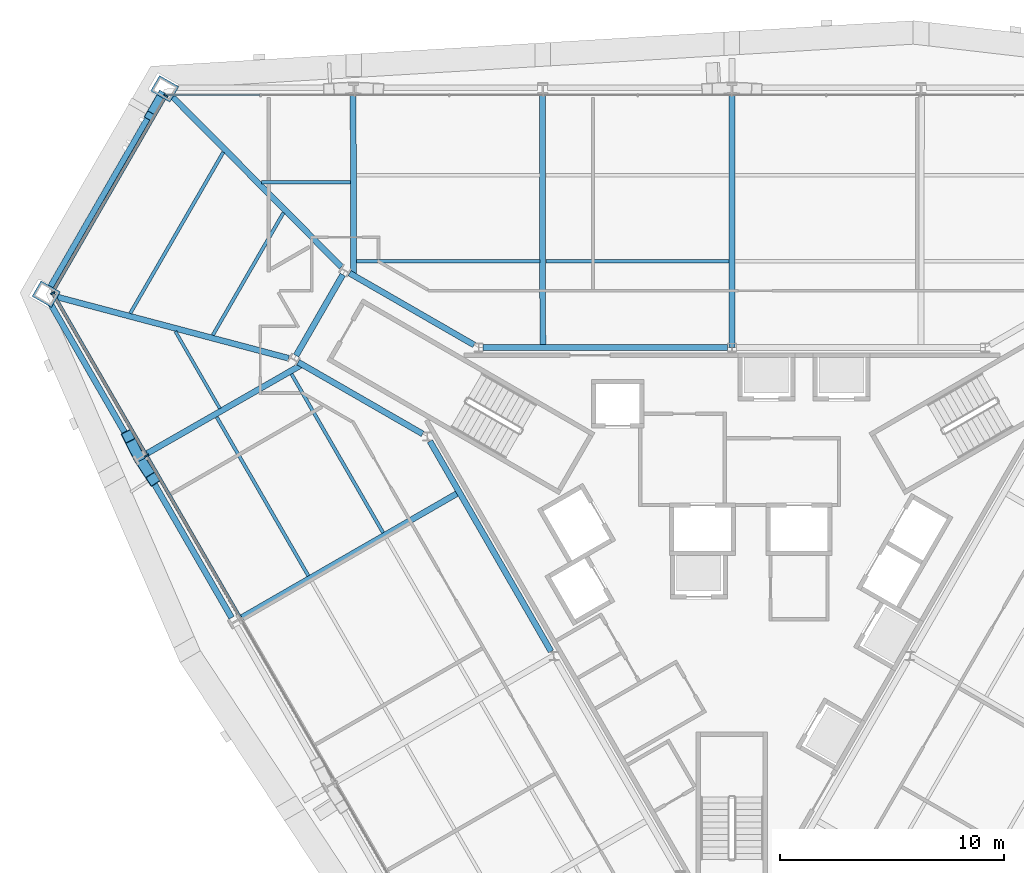
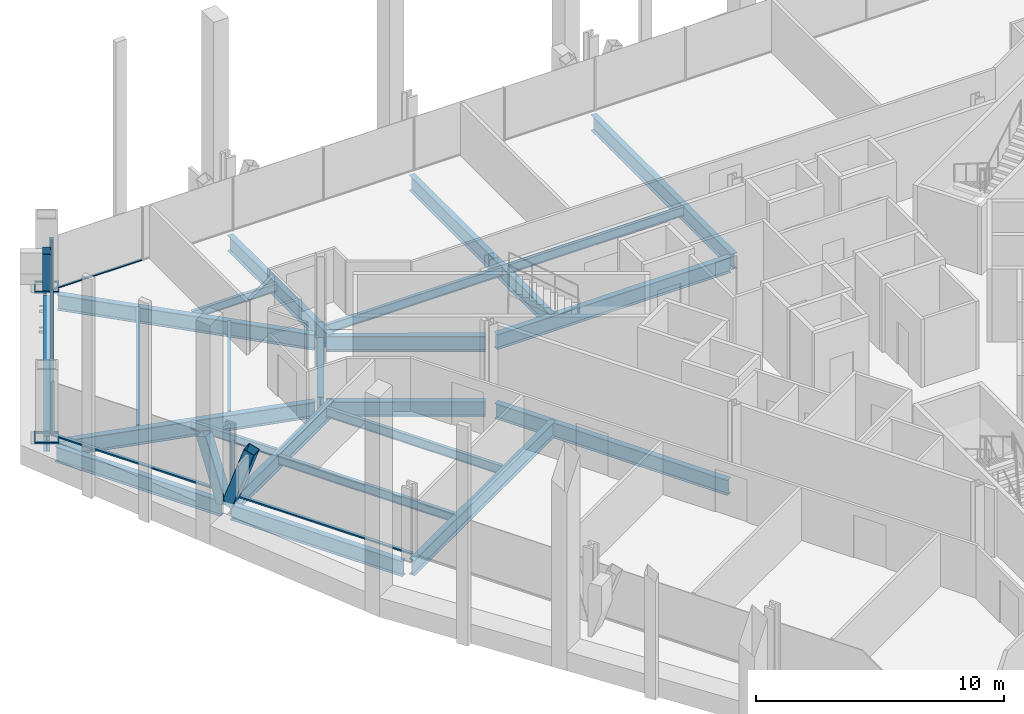
# One storey, part 5 of 16: 23 beams, 12 members, 3 elements without a shape of their own.
"""IFC4 building model written with IfcOpenShell, lengths in metres."""

from ifc_helpers import new_model, si_unit, direction, frame, origin, origin_2d, place, context, subcontext, project, spatial, rectangle, hollow_rectangle, i_section, extrude, material, material_profile, profile_set, type_object, element, aggregate, save


model = new_model("IFC4")

# Units and contexts
model_context = context("Model", 3, precision=1e-05, world=origin(), true_north=direction((0.0, 1.0)))
body_context = subcontext(model_context, "Body", "Model", "MODEL_VIEW")
ifc_project = project(units=[si_unit("LENGTHUNIT", "METRE"), si_unit("AREAUNIT", "SQUARE_METRE"), si_unit("VOLUMEUNIT", "CUBIC_METRE"), si_unit("PLANEANGLEUNIT", "RADIAN"), si_unit("MASSUNIT", "GRAM", prefix="KILO")], contexts=[model_context])

# Site, building, storey
site_placement = place(None, origin())
site = spatial("IfcSite", under=ifc_project, at=site_placement, CompositionType="ELEMENT")
building_placement = place(site_placement, origin())
building = spatial("IfcBuilding", under=site, at=building_placement, Name="Verrane Prism Tower", CompositionType="ELEMENT")
storey_placement = place(building_placement, frame((0.0, 0.0, 36.800048828125)))
storey = spatial("IfcBuildingStorey", under=building, at=storey_placement, Name="L06", CompositionType="ELEMENT", Elevation=36.800048828125)

# Member
ifc_material_1 = material(Name="Steel A500 Grade C", Category="steel")
ifc_material_profile_1 = material_profile(ifc_material_1, hollow_rectangle(XDim=0.355712890625, YDim=0.355712890625, WallThickness=0.0126953125, InnerFilletRadius=0.00634765625, OuterFilletRadius=0.01904296875, at=origin_2d()), Name="HSS14x14x1/2")
ifc_profile_set_1 = profile_set([ifc_material_profile_1], Name="Steel A500 Grade C")
member_type_1 = type_object("IfcMemberType", Name="Chamfer brace HSS14x14x1/2", PredefinedType="BRACE", material=ifc_profile_set_1)
member_1_placement = place(storey_placement, frame((-25.530029296875, 20.492919921875, 0.217041015625), z_axis=(-0.193868803172, -0.335749946471, 0.921784606403), x_axis=(0.865999177177, -0.500045423065, 0.0)))
element("IfcMember", 1, at=member_1_placement, inside=storey, type_object=member_type_1, Name="Chamfer brace NW0 L06", PredefinedType="BRACE", context=body_context, shape_type="SweptSolid", body=[
    extrude(hollow_rectangle(XDim=0.355712890625, YDim=0.355712890625, WallThickness=0.0126953125, InnerFilletRadius=0.00634765625, OuterFilletRadius=0.01904296875, at=origin_2d()), origin(), (0.0, 0.0, 1.0), 2.756591796875),
])

# Beams
ifc_material_2 = material(Name="Steel A992", Category="steel")
ifc_material_profile_2 = material_profile(ifc_material_2, i_section(OverallWidth=0.2666015625, OverallDepth=0.76708984375, WebThickness=0.014892578125, FlangeThickness=0.023681640625, FilletRadius=0.0166015625, at=origin_2d()), Name="W30x124")
ifc_profile_set_2 = profile_set([ifc_material_profile_2], Name="Steel A992")
beam_type_1 = type_object("IfcBeamType", Name="Chamfer spandrel beam W30x124", PredefinedType="SPANDREL", material=ifc_profile_set_2)
beam_1_placement = place(storey_placement, frame((-25.544921875, 20.466796875, -0.54345703125), z_axis=(-0.500011342071, -0.866018855338, 0.0), x_axis=(0.866018855338, -0.500011342071, 0.0)))
element("IfcBeam", 2, at=beam_1_placement, inside=storey, type_object=beam_type_1, Name="Chamfer spandrel beam L06", PredefinedType="SPANDREL", context=body_context, shape_type="SweptSolid", body=[
    extrude(i_section(OverallWidth=0.2666015625, OverallDepth=0.76708984375, WebThickness=0.014892578125, FlangeThickness=0.023681640625, FilletRadius=0.0166015625, at=origin_2d()), origin(), (0.0, 0.0, 1.0), 9.900146484375),
])
ifc_material_3 = material(Name="Steel A992", Category="steel")
ifc_material_profile_3 = material_profile(ifc_material_3, i_section(OverallWidth=0.2666015625, OverallDepth=0.7568359375, WebThickness=0.013916015625, FlangeThickness=0.019287109375, FilletRadius=0.0166015625, at=origin_2d()), Name="W30x108")
ifc_profile_set_3 = profile_set([ifc_material_profile_3], Name="Steel A992")
beam_type_2 = type_object("IfcBeamType", Name="Core ring girder W30x108", PredefinedType="BEAM", material=ifc_profile_set_3)
beam_2_placement = place(storey_placement, frame((-0.203125, 9.199951171875, -0.628662109375), z_axis=(-1.0, 0.0, 0.0), x_axis=(0.0, -1.0, 0.0)))
element("IfcBeam", 3, at=beam_2_placement, inside=storey, type_object=beam_type_2, Name="Core ring girder L06", PredefinedType="BEAM", context=body_context, shape_type="SweptSolid", body=[
    extrude(i_section(OverallWidth=0.2666015625, OverallDepth=0.7568359375, WebThickness=0.013916015625, FlangeThickness=0.019287109375, FilletRadius=0.0166015625, at=origin_2d()), origin(), (0.0, 0.0, 1.0), 10.923583984375),
])
beam_3_placement = place(storey_placement, frame((-11.533203125, 9.317138671875, -0.628662109375), z_axis=(-0.866447229751, 0.499268663203, 0.0), x_axis=(-0.499268663203, -0.866447229751, 0.0)))
element("IfcBeam", 4, at=beam_3_placement, inside=storey, type_object=beam_type_2, Name="Core ring girder L06", PredefinedType="BEAM", context=body_context, shape_type="SweptSolid", body=[
    extrude(i_section(OverallWidth=0.2666015625, OverallDepth=0.7568359375, WebThickness=0.013916015625, FlangeThickness=0.019287109375, FilletRadius=0.0166015625, at=origin_2d()), origin(), (0.0, 0.0, 1.0), 6.428466796875),
])
beam_4_placement = place(storey_placement, frame((-17.40478515625, 12.45849609375, -0.628662109375), z_axis=(-0.500349643494, -0.865823442888, 0.0), x_axis=(0.865823442888, -0.500349643494, 0.0)))
element("IfcBeam", 5, at=beam_4_placement, inside=storey, type_object=beam_type_2, Name="Core ring girder L06", PredefinedType="BEAM", context=body_context, shape_type="SweptSolid", body=[
    extrude(i_section(OverallWidth=0.2666015625, OverallDepth=0.7568359375, WebThickness=0.013916015625, FlangeThickness=0.019287109375, FilletRadius=0.0166015625, at=origin_2d()), origin(), (0.0, 0.0, 1.0), 4.177734375),
])
beam_5_placement = place(storey_placement, frame((-19.403076171875, 8.54638671875, -0.628662109375), z_axis=(0.86646365882, -0.499240150574, 0.0), x_axis=(0.499240150574, 0.86646365882, 0.0)))
element("IfcBeam", 6, at=beam_5_placement, inside=storey, type_object=beam_type_2, Name="Core ring girder L06", PredefinedType="BEAM", context=body_context, shape_type="SweptSolid", body=[
    extrude(i_section(OverallWidth=0.2666015625, OverallDepth=0.7568359375, WebThickness=0.013916015625, FlangeThickness=0.019287109375, FilletRadius=0.0166015625, at=origin_2d()), origin(), (0.0, 0.0, 1.0), 6.42822265625),
])
beam_6_placement = place(storey_placement, frame((-13.510009765625, 5.01171875, -0.628662109375), z_axis=(0.499371892062, -0.866387738498, 0.0), x_axis=(0.866387738498, 0.499371892062, 0.0)))
element("IfcBeam", 7, at=beam_6_placement, inside=storey, type_object=beam_type_2, Name="Core ring girder L06", PredefinedType="BEAM", context=body_context, shape_type="SweptSolid", body=[
    extrude(i_section(OverallWidth=0.2666015625, OverallDepth=0.7568359375, WebThickness=0.013916015625, FlangeThickness=0.019287109375, FilletRadius=0.0166015625, at=origin_2d()), origin(), (0.0, 0.0, 1.0), 10.853515625),
])
ifc_material_4 = material(Name="Steel A992", Category="steel")
ifc_material_profile_4 = material_profile(ifc_material_4, i_section(OverallWidth=0.2666015625, OverallDepth=0.76708984375, WebThickness=0.014892578125, FlangeThickness=0.023681640625, FilletRadius=0.0166015625, at=origin_2d()), Name="W30x124")
ifc_profile_set_4 = profile_set([ifc_material_profile_4], Name="Steel A992")
beam_type_3 = type_object("IfcBeamType", Name="Corner girder W30x124", PredefinedType="BEAM", material=ifc_profile_set_4)
beam_7_placement = place(storey_placement, frame((-25.04150390625, 20.43896484375, -0.603515625), z_axis=(0.704479617192, -0.709724220356, 0.0), x_axis=(0.709724220356, 0.704479617192, 0.0)))
element("IfcBeam", 8, at=beam_7_placement, inside=storey, type_object=beam_type_3, Name="Corner girder L06", PredefinedType="BEAM", context=body_context, shape_type="SweptSolid", body=[
    extrude(i_section(OverallWidth=0.2666015625, OverallDepth=0.76708984375, WebThickness=0.014892578125, FlangeThickness=0.023681640625, FilletRadius=0.0166015625, at=origin_2d()), origin(), (0.0, 0.0, 1.0), 10.753173828125),
])
beam_8_placement = place(storey_placement, frame((-30.21923828125, 11.470703125, -0.603515625), z_axis=(0.966710515477, -0.255872584047, 0.0), x_axis=(0.255872584047, 0.966710515477, 0.0)))
element("IfcBeam", 9, at=beam_8_placement, inside=storey, type_object=beam_type_3, Name="Corner girder L06", PredefinedType="BEAM", context=body_context, shape_type="SweptSolid", body=[
    extrude(i_section(OverallWidth=0.2666015625, OverallDepth=0.76708984375, WebThickness=0.014892578125, FlangeThickness=0.023681640625, FilletRadius=0.0166015625, at=origin_2d()), origin(), (0.0, 0.0, 1.0), 10.74951171875),
])

# Members
ifc_material_5 = material(Name="Steel A1085 Grade A", Category="steel")
ifc_material_profile_5 = material_profile(ifc_material_5, hollow_rectangle(XDim=0.508056640625, YDim=0.508056640625, WallThickness=0.025390625, InnerFilletRadius=0.0126953125, OuterFilletRadius=0.0380859375, at=origin_2d()), Name="HSS20x20x1")
ifc_profile_set_5 = profile_set([ifc_material_profile_5], Name="Steel A1085 Grade A")
member_type_2 = type_object("IfcMemberType", Name="Facade brace HSS20x20x1", PredefinedType="BRACE", material=ifc_profile_set_5)
member_2_placement = place(storey_placement, frame((-26.56201171875, 4.362060546875, -0.19775390625), z_axis=(-0.141798489589, 0.278666899243, 0.94986206768), x_axis=(-0.891251410074, -0.45350956334, 0.0)))
element("IfcMember", 10, at=member_2_placement, inside=storey, type_object=member_type_2, Name="Facade brace SW0 L06", PredefinedType="BRACE", context=body_context, shape_type="SweptSolid", body=[
    extrude(hollow_rectangle(XDim=0.508056640625, YDim=0.508056640625, WallThickness=0.025390625, InnerFilletRadius=0.0126953125, OuterFilletRadius=0.0380859375, at=origin_2d()), origin(), (0.0, 0.0, 1.0), 3.119873046875),
])
member_3_placement = place(storey_placement, frame((-26.447509765625, 4.163818359375, -0.19775390625), z_axis=(0.175899143488, -0.272382590381, 0.945974215176), x_axis=(0.840059916394, 0.542493628412, 0.0)))
element("IfcMember", 11, at=member_3_placement, inside=storey, type_object=member_type_2, Name="Facade brace SW1 L06", PredefinedType="BRACE", context=body_context, shape_type="SweptSolid", body=[
    extrude(hollow_rectangle(XDim=0.508056640625, YDim=0.508056640625, WallThickness=0.025390625, InnerFilletRadius=0.0126953125, OuterFilletRadius=0.0380859375, at=origin_2d()), origin(), (0.0, 0.0, 1.0), 3.132568359375),
])

# Beams
ifc_material_6 = material(Name="Steel A992", Category="steel")
ifc_material_profile_6 = material_profile(ifc_material_6, i_section(OverallWidth=0.140380859375, OverallDepth=0.40380859375, WebThickness=0.007080078125, FlangeThickness=0.01123046875, FilletRadius=0.01025390625, at=origin_2d()), Name="W16x31")
ifc_profile_set_6 = profile_set([ifc_material_profile_6], Name="Steel A992")
beam_type_4 = type_object("IfcBeamType", Name="Floor beam W16x31", PredefinedType="BEAM", material=ifc_profile_set_6)
beam_9_placement = place(storey_placement, frame((-21.03759765625, 16.594970703125, -0.362060546875), z_axis=(1.0, 0.0, 0.0), x_axis=(0.0, 1.0, 0.0)))
element("IfcBeam", 12, at=beam_9_placement, inside=storey, type_object=beam_type_4, Name="Floor beam L06", PredefinedType="BEAM", context=body_context, shape_type="SweptSolid", body=[
    extrude(i_section(OverallWidth=0.140380859375, OverallDepth=0.40380859375, WebThickness=0.007080078125, FlangeThickness=0.01123046875, FilletRadius=0.01025390625, at=origin_2d()), origin(), (0.0, 0.0, 1.0), 3.984130859375),
])
beam_10_placement = place(storey_placement, frame((-22.90185546875, 6.470703125, -0.362060546875), z_axis=(-0.500005166599, 0.866022420826, 0.0), x_axis=(-0.866022420826, -0.500005166599, 0.0)))
element("IfcBeam", 13, at=beam_10_placement, inside=storey, type_object=beam_type_4, Name="Floor beam L06", PredefinedType="BEAM", context=body_context, shape_type="SweptSolid", body=[
    extrude(i_section(OverallWidth=0.140380859375, OverallDepth=0.40380859375, WebThickness=0.007080078125, FlangeThickness=0.01123046875, FilletRadius=0.01025390625, at=origin_2d()), origin(), (0.0, 0.0, 1.0), 3.98681640625),
])
ifc_material_7 = material(Name="Steel A992", Category="steel")
ifc_material_profile_7 = material_profile(ifc_material_7, i_section(OverallWidth=0.15234375, OverallDepth=0.449462890625, WebThickness=0.007568359375, FlangeThickness=0.0107421875, FilletRadius=0.01025390625, at=origin_2d()), Name="W18x35")
ifc_profile_set_7 = profile_set([ifc_material_profile_7], Name="Steel A992")
beam_type_5 = type_object("IfcBeamType", Name="Floor beam W18x35", PredefinedType="BEAM", material=ifc_profile_set_7)
beam_11_placement = place(storey_placement, frame((-8.326416015625, 13.056640625, -0.384765625), z_axis=(1.0, 0.0, 0.0), x_axis=(0.0, 1.0, 0.0)))
element("IfcBeam", 14, at=beam_11_placement, inside=storey, type_object=beam_type_5, Name="Floor beam L06", PredefinedType="BEAM", context=body_context, shape_type="SweptSolid", body=[
    extrude(i_section(OverallWidth=0.15234375, OverallDepth=0.449462890625, WebThickness=0.007568359375, FlangeThickness=0.0107421875, FilletRadius=0.01025390625, at=origin_2d()), origin(), (0.0, 0.0, 1.0), 8.19287109375),
])
for number, where, z_axis, x_axis, name in (
    (15, (-16.78662109375, 13.056640625, -0.384765625), (1.0, 0.0, 0.0), (0.0, 1.0, 0.0), "Floor beam L06"),
    (16, (-15.60009765625, 0.91552734375, -0.384765625), (-0.49998813555, 0.86603225362, 0.0), (-0.86603225362, -0.49998813555, 0.0), "Floor beam L06"),
):
    element("IfcBeam", number, at=place(storey_placement, frame(where, z_axis=z_axis, x_axis=x_axis)), inside=storey, type_object=beam_type_5, Name=name, PredefinedType="BEAM", context=body_context, shape_type="SweptSolid", body=[
        extrude(i_section(OverallWidth=0.15234375, OverallDepth=0.449462890625, WebThickness=0.007568359375, FlangeThickness=0.0107421875, FilletRadius=0.01025390625, at=origin_2d()), origin(), (0.0, 0.0, 1.0), 8.193115234375),
    ])
beam_12_placement = place(storey_placement, frame((-18.943359375, -1.014404296875, -0.384765625), z_axis=(-0.500013012896, 0.866017890655, 0.0), x_axis=(-0.866017890655, -0.500013012896, 0.0)))
element("IfcBeam", 17, at=beam_12_placement, inside=storey, type_object=beam_type_5, Name="Floor beam L06", PredefinedType="BEAM", context=body_context, shape_type="SweptSolid", body=[
    extrude(i_section(OverallWidth=0.15234375, OverallDepth=0.449462890625, WebThickness=0.007568359375, FlangeThickness=0.0107421875, FilletRadius=0.01025390625, at=origin_2d()), origin(), (0.0, 0.0, 1.0), 8.194580078125),
])
beam_13_placement = place(storey_placement, frame((-23.219482421875, 9.756103515625, -0.384765625), z_axis=(0.499989926711, 0.866031219522, 0.0), x_axis=(-0.866031219522, 0.499989926711, 0.0)))
element("IfcBeam", 18, at=beam_13_placement, inside=storey, type_object=beam_type_5, Name="Floor beam L06", PredefinedType="BEAM", context=body_context, shape_type="SweptSolid", body=[
    extrude(i_section(OverallWidth=0.15234375, OverallDepth=0.449462890625, WebThickness=0.007568359375, FlangeThickness=0.0107421875, FilletRadius=0.01025390625, at=origin_2d()), origin(), (0.0, 0.0, 1.0), 6.321044921875),
])
beam_14_placement = place(storey_placement, frame((-26.910400390625, 10.73291015625, -0.384765625), z_axis=(0.500000939553, 0.866024861332, 0.0), x_axis=(-0.866024861332, 0.500000939553, 0.0)))
element("IfcBeam", 19, at=beam_14_placement, inside=storey, type_object=beam_type_5, Name="Floor beam L06", PredefinedType="BEAM", context=body_context, shape_type="SweptSolid", body=[
    extrude(i_section(OverallWidth=0.15234375, OverallDepth=0.449462890625, WebThickness=0.007568359375, FlangeThickness=0.0107421875, FilletRadius=0.01025390625, at=origin_2d()), origin(), (0.0, 0.0, 1.0), 8.322265625),
])

# Members
ifc_material_8 = material(Name="Steel A572 Grade 50", Category="steel")
ifc_material_profile_8 = material_profile(ifc_material_8, hollow_rectangle(XDim=0.800048828125, YDim=1.0, WallThickness=0.074951171875, at=origin_2d()), Name="BOX 1000x800x75")
ifc_profile_set_8 = profile_set([ifc_material_profile_8], Name="Steel A572 Grade 50")
member_type_3 = type_object("IfcMemberType", Name="Kink node BOX 1000x800x75", PredefinedType="COLLAR", material=ifc_profile_set_8)
for number, where, z_axis, x_axis, name in (
    (20, (-25.371337890625, 20.77197265625, -0.045166015625), (0.0, 0.0, 1.0), (0.5, 0.866025403784, 0.0), "Kink node MC2 L06"),
    (21, (-30.67236328125, 11.59033203125, -0.045166015625), (0.0, 0.0, 1.0), (0.5, 0.866025403784, 0.0), "Kink node MC2 L06"),
):
    element("IfcMember", number, at=place(storey_placement, frame(where, z_axis=z_axis, x_axis=x_axis)), inside=storey, type_object=member_type_3, Name=name, PredefinedType="COLLAR", context=body_context, shape_type="SweptSolid", body=[
        extrude(hollow_rectangle(XDim=0.800048828125, YDim=1.0, WallThickness=0.074951171875, at=origin_2d()), origin(), (0.0, 0.0, 1.0), 0.090087890625),
    ])

# Curtain wall, member
ifc_material_9 = material(Name="Aluminium framed insulated glazing", Category="aluminium")
curtain_wall_type_1 = type_object("IfcCurtainWallType", Name="Curtain wall CW-A 8400 module", PredefinedType="NOTDEFINED", material=ifc_material_9)
curtain_wall_1_placement = place(storey_placement, origin())
curtain_wall_1 = element("IfcCurtainWall", 22, at=curtain_wall_1_placement, inside=storey, type_object=curtain_wall_type_1, Name="Glazed curtain wall north-west corner L06", PredefinedType="NOTDEFINED")
ifc_material_10 = material(Name="Aluminium alloy 6063-T6", Category="aluminium")
ifc_material_profile_9 = material_profile(ifc_material_10, rectangle(XDim=0.199951171875, YDim=0.070068359375, at=origin_2d()), Name="Mullion 70x200 aluminium")
ifc_profile_set_9 = profile_set([ifc_material_profile_9], Name="Aluminium alloy 6063-T6")
member_type_4 = type_object("IfcMemberType", Name="Mullion 70x200 aluminium", PredefinedType="MULLION", material=ifc_profile_set_9)
member_4_placement = place(storey_placement, frame((-25.319091796875, 20.460693359375, 0.0), z_axis=(0.0, 0.0, 1.0), x_axis=(0.866027227665, -0.499996840933, 0.0)))
member_4 = element("IfcMember", 23, at=member_4_placement, type_object=member_type_4, Name="CW06.3 mullion 1", PredefinedType="MULLION", context=body_context, shape_type="SweptSolid", body=[
    extrude(rectangle(XDim=0.199951171875, YDim=0.070068359375, at=origin_2d()), origin(), (0.0, 0.0, 1.0), 2.61279296875),
])

# Curtain wall, members
curtain_wall_2_placement = place(storey_placement, origin())
curtain_wall_2 = element("IfcCurtainWall", 24, at=curtain_wall_2_placement, inside=storey, type_object=curtain_wall_type_1, Name="Glazed curtain wall south-west face L06", PredefinedType="NOTDEFINED")
member_5_placement = place(storey_placement, frame((-30.37890625, 11.635986328125, 0.0), z_axis=(0.0, 0.0, 1.0), x_axis=(0.866025123598, 0.500000485297, 0.0)))
member_5 = element("IfcMember", 25, at=member_5_placement, type_object=member_type_4, Name="CW06.4 mullion 1", PredefinedType="MULLION", context=body_context, shape_type="SweptSolid", body=[
    extrude(rectangle(XDim=0.199951171875, YDim=0.070068359375, at=origin_2d()), origin(), (0.0, 0.0, 1.0), 2.61279296875),
])
member_6_placement = place(storey_placement, frame((-26.1796875, 4.3623046875, 0.0), z_axis=(0.0, 0.0, 1.0), x_axis=(0.866025123598, 0.500000485297, 0.0)))
member_6 = element("IfcMember", 26, at=member_6_placement, type_object=member_type_4, Name="CW06.4 mullion 2", PredefinedType="MULLION", context=body_context, shape_type="SweptSolid", body=[
    extrude(rectangle(XDim=0.199951171875, YDim=0.070068359375, at=origin_2d()), origin(), (0.0, 0.0, 1.0), 2.61279296875),
])

# Beams
ifc_material_11 = material(Name="Steel A992", Category="steel")
ifc_material_profile_10 = material_profile(ifc_material_11, i_section(OverallWidth=0.2666015625, OverallDepth=0.76708984375, WebThickness=0.014892578125, FlangeThickness=0.023681640625, FilletRadius=0.0166015625, at=origin_2d()), Name="W30x124")
ifc_profile_set_10 = profile_set([ifc_material_profile_10], Name="Steel A992")
beam_type_6 = type_object("IfcBeamType", Name="Radial girder W30x124", PredefinedType="BEAM", material=ifc_profile_set_10)
for number, where, z_axis, x_axis, name in (
    (27, (0.0, 20.555419921875, -0.603515625), (0.0, -1.0, 0.0), (1.0, 0.0, 0.0), "Radial girder L06"),
    (28, (-8.472412109375, 20.555419921875, -0.603515625), (0.001096490569, -0.999999398854, 0.0), (0.999999398854, 0.001096490569, 0.0), "Radial girder L06"),
):
    element("IfcBeam", number, at=place(storey_placement, frame(where, z_axis=z_axis, x_axis=x_axis)), inside=storey, type_object=beam_type_6, Name=name, PredefinedType="BEAM", context=body_context, shape_type="SweptSolid", body=[
        extrude(i_section(OverallWidth=0.2666015625, OverallDepth=0.76708984375, WebThickness=0.014892578125, FlangeThickness=0.023681640625, FilletRadius=0.0166015625, at=origin_2d()), origin(), (0.0, 0.0, 1.0), 11.35546875),
    ])
beam_15_placement = place(storey_placement, frame((-16.943359375, 20.555419921875, -0.603515625), z_axis=(0.002881226973, -0.999995849257, 0.0), x_axis=(0.999995849257, 0.002881226973, 0.0)))
element("IfcBeam", 29, at=beam_15_placement, inside=storey, type_object=beam_type_6, Name="Radial girder L06", PredefinedType="BEAM", context=body_context, shape_type="SweptSolid", body=[
    extrude(i_section(OverallWidth=0.2666015625, OverallDepth=0.76708984375, WebThickness=0.014892578125, FlangeThickness=0.023681640625, FilletRadius=0.0166015625, at=origin_2d()), origin(), (0.0, 0.0, 1.0), 8.134521484375),
])
beam_16_placement = place(storey_placement, frame((-26.275634765625, 4.39697265625, -0.603515625), z_axis=(0.867419672112, 0.497577242681, 0.0), x_axis=(-0.497577242681, 0.867419672112, 0.0)))
element("IfcBeam", 30, at=beam_16_placement, inside=storey, type_object=beam_type_6, Name="Radial girder L06", PredefinedType="BEAM", context=body_context, shape_type="SweptSolid", body=[
    extrude(i_section(OverallWidth=0.2666015625, OverallDepth=0.76708984375, WebThickness=0.014892578125, FlangeThickness=0.023681640625, FilletRadius=0.0166015625, at=origin_2d()), origin(), (0.0, 0.0, 1.0), 8.130615234375),
])
beam_17_placement = place(storey_placement, frame((-22.03955078125, -2.942626953125, -0.603515625), z_axis=(0.866525583881, 0.499132660202, 0.0), x_axis=(-0.499132660202, 0.866525583881, 0.0)))
element("IfcBeam", 31, at=beam_17_placement, inside=storey, type_object=beam_type_6, Name="Radial girder L06", PredefinedType="BEAM", context=body_context, shape_type="SweptSolid", body=[
    extrude(i_section(OverallWidth=0.2666015625, OverallDepth=0.76708984375, WebThickness=0.014892578125, FlangeThickness=0.023681640625, FilletRadius=0.0166015625, at=origin_2d()), origin(), (0.0, 0.0, 1.0), 11.362060546875),
])
ifc_material_12 = material(Name="Steel A992", Category="steel")
ifc_material_profile_11 = material_profile(ifc_material_12, i_section(OverallWidth=0.2666015625, OverallDepth=0.7568359375, WebThickness=0.013916015625, FlangeThickness=0.019287109375, FilletRadius=0.0166015625, at=origin_2d()), Name="W30x108")
ifc_profile_set_11 = profile_set([ifc_material_profile_11], Name="Steel A992")
beam_type_7 = type_object("IfcBeamType", Name="Spandrel beam W30x108", PredefinedType="SPANDREL", material=ifc_profile_set_11)
beam_18_placement = place(storey_placement, frame((-30.473876953125, 11.14599609375, -0.53857421875), z_axis=(0.499526290691, -0.866298727292, 0.0), x_axis=(0.866298727292, 0.499526290691, 0.0)))
element("IfcBeam", 32, at=beam_18_placement, inside=storey, type_object=beam_type_7, Name="Spandrel beam L06", PredefinedType="SPANDREL", context=body_context, shape_type="SweptSolid", body=[
    extrude(i_section(OverallWidth=0.2666015625, OverallDepth=0.7568359375, WebThickness=0.013916015625, FlangeThickness=0.019287109375, FilletRadius=0.0166015625, at=origin_2d()), origin(), (0.0, 0.0, 1.0), 7.72216796875),
])
beam_19_placement = place(storey_placement, frame((-26.3955078125, 4.073486328125, -0.53857421875), z_axis=(0.499891709547, -0.86608791628, 0.0), x_axis=(0.86608791628, 0.499891709547, 0.0)))
element("IfcBeam", 33, at=beam_19_placement, inside=storey, type_object=beam_type_7, Name="Spandrel beam L06", PredefinedType="SPANDREL", context=body_context, shape_type="SweptSolid", body=[
    extrude(i_section(OverallWidth=0.2666015625, OverallDepth=0.7568359375, WebThickness=0.013916015625, FlangeThickness=0.019287109375, FilletRadius=0.0166015625, at=origin_2d()), origin(), (0.0, 0.0, 1.0), 8.032958984375),
])

# Curtain wall, member
ifc_material_13 = material(Name="Aluminium framed insulated glazing", Category="aluminium")
curtain_wall_type_2 = type_object("IfcCurtainWallType", Name="Curtain wall CW-C 4200 module", PredefinedType="NOTDEFINED", material=ifc_material_13)
curtain_wall_3_placement = place(storey_placement, origin())
curtain_wall_3 = element("IfcCurtainWall", 34, at=curtain_wall_3_placement, inside=storey, type_object=curtain_wall_type_2, Name="Glazed curtain wall north face L06", PredefinedType="NOTDEFINED")
ifc_material_14 = material(Name="Aluminium alloy 6063-T6", Category="aluminium")
ifc_material_profile_12 = material_profile(ifc_material_14, rectangle(XDim=0.10009765625, YDim=0.050048828125, at=origin_2d()), Name="Transom 50x100 aluminium")
ifc_profile_set_12 = profile_set([ifc_material_profile_12], Name="Aluminium alloy 6063-T6")
member_type_5 = type_object("IfcMemberType", Name="Transom 50x100 aluminium", PredefinedType="USERDEFINED", material=ifc_profile_set_12)
member_7_placement = place(storey_placement, frame((-21.109619140625, 20.490966796875, 0.02490234375), z_axis=(-1.0, 0.0, 0.0), x_axis=(0.0, -1.0, 0.0)))
member_7 = element("IfcMember", 35, at=member_7_placement, type_object=member_type_5, Name="CW06.2 transom 12", ObjectType="TRANSOM", PredefinedType="USERDEFINED", context=body_context, shape_type="SweptSolid", body=[
    extrude(rectangle(XDim=0.10009765625, YDim=0.050048828125, at=origin_2d()), origin(), (0.0, 0.0, 1.0), 4.19189453125),
])
aggregate(curtain_wall_3, [member_7])

# Member
ifc_material_15 = material(Name="Aluminium alloy 6063-T6", Category="aluminium")
ifc_material_profile_13 = material_profile(ifc_material_15, rectangle(XDim=0.14990234375, YDim=0.070068359375, at=origin_2d()), Name="Transom 70x150 aluminium")
ifc_profile_set_13 = profile_set([ifc_material_profile_13], Name="Aluminium alloy 6063-T6")
member_type_6 = type_object("IfcMemberType", Name="Transom 70x150 aluminium", PredefinedType="USERDEFINED", material=ifc_profile_set_13)
member_8_placement = place(storey_placement, frame((-25.336669921875, 20.430419921875, 0.034912109375), z_axis=(-0.499986973201, -0.86603292468, 0.0), x_axis=(0.86603292468, -0.499986973201, 0.0)))
member_8 = element("IfcMember", 36, at=member_8_placement, type_object=member_type_6, Name="CW06.3 transom 1", ObjectType="TRANSOM", PredefinedType="USERDEFINED", context=body_context, shape_type="SweptSolid", body=[
    extrude(rectangle(XDim=0.14990234375, YDim=0.070068359375, at=origin_2d()), origin(), (0.0, 0.0, 1.0), 10.119873046875),
])

aggregate(curtain_wall_1, [member_4, member_8])

member_9_placement = place(storey_placement, frame((-30.361572265625, 11.605712890625, 0.034912109375), z_axis=(0.500004095543, -0.866023039209, 0.0), x_axis=(0.866023039209, 0.500004095543, 0.0)))
member_9 = element("IfcMember", 37, at=member_9_placement, type_object=member_type_6, Name="CW06.4 transom 1", ObjectType="TRANSOM", PredefinedType="USERDEFINED", context=body_context, shape_type="SweptSolid", body=[
    extrude(rectangle(XDim=0.14990234375, YDim=0.070068359375, at=origin_2d()), origin(), (0.0, 0.0, 1.0), 8.3291015625),
])

member_10_placement = place(storey_placement, frame((-26.162109375, 4.33203125, 0.034912109375), z_axis=(0.499991130599, -0.866030524475, 0.0), x_axis=(0.866030524475, 0.499991130599, 0.0)))
member_10 = element("IfcMember", 38, at=member_10_placement, type_object=member_type_6, Name="CW06.4 transom 2", ObjectType="TRANSOM", PredefinedType="USERDEFINED", context=body_context, shape_type="SweptSolid", body=[
    extrude(rectangle(XDim=0.14990234375, YDim=0.070068359375, at=origin_2d()), origin(), (0.0, 0.0, 1.0), 8.364013671875),
])

aggregate(curtain_wall_2, [member_5, member_6, member_9, member_10])

save(model, "model.ifc")
